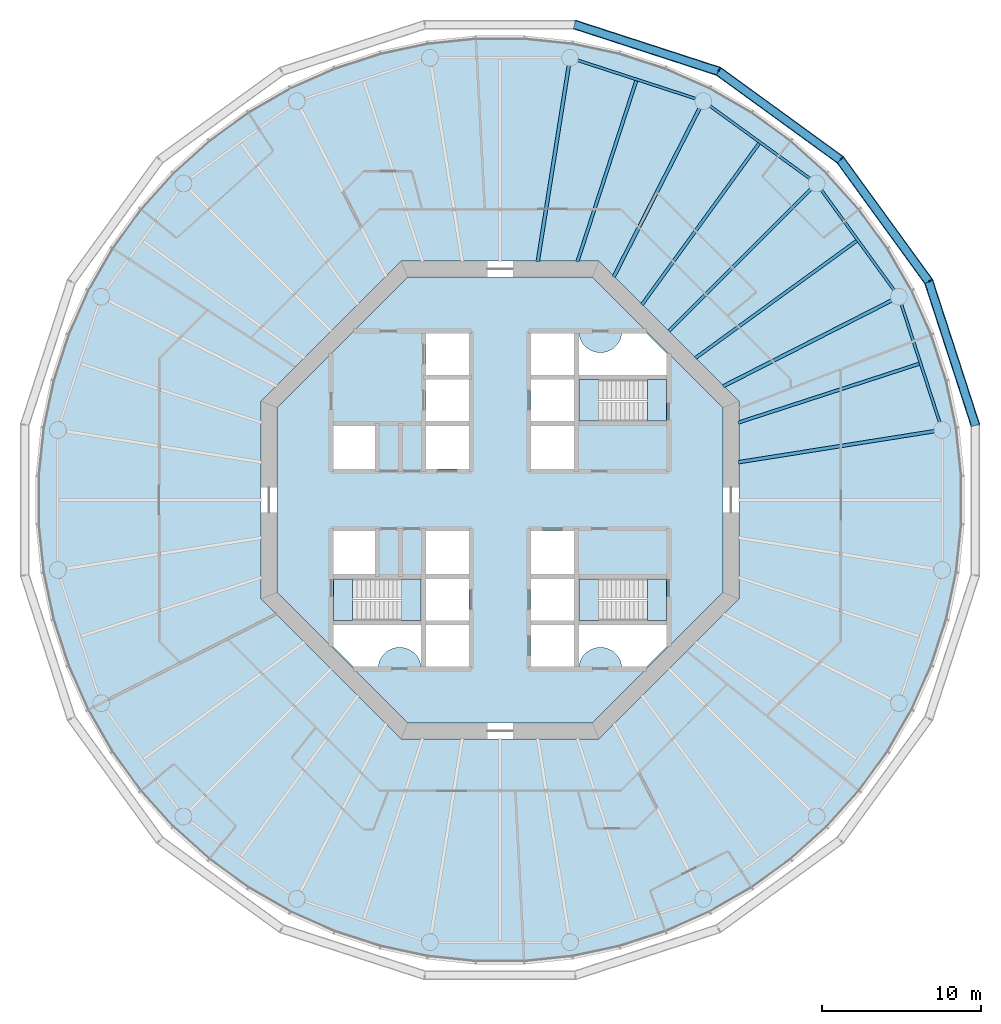
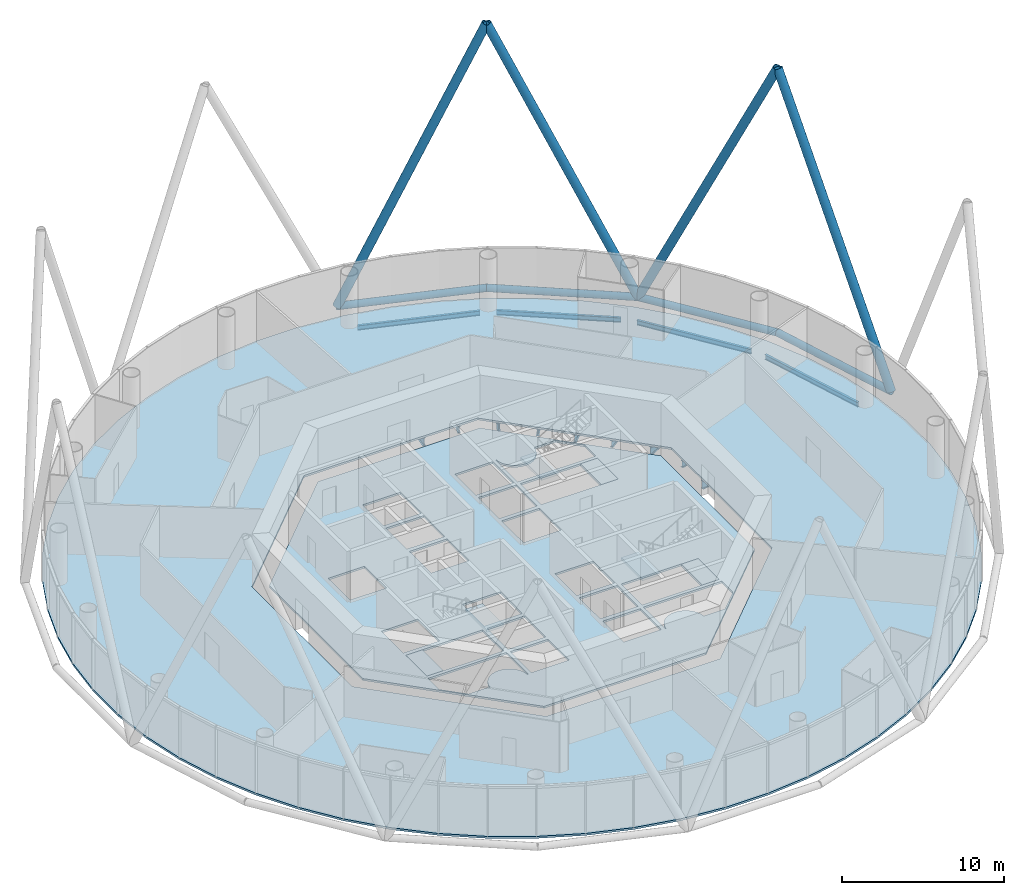
# One storey, part 2 of 13: 13 beams, 8 members, 8 slabs, 3 elements without a shape of their own.
"""IFC4 building model written with IfcOpenShell, lengths in metres."""

from ifc_helpers import new_model, si_unit, direction, frame, origin, origin_2d, place, context, subcontext, project, spatial, polyline, circle, hollow_circle, i_section, outline, extrude, material, layer, layer_set, material_profile, profile_set, type_object, element, aggregate, save


model = new_model("IFC4")

# Units and contexts
model_context = context("Model", 3, precision=1e-05, world=origin(), true_north=direction((0.0, 1.0)))
body_context = subcontext(model_context, "Body", "Model", "MODEL_VIEW")
ifc_project = project(units=[si_unit("LENGTHUNIT", "METRE"), si_unit("AREAUNIT", "SQUARE_METRE"), si_unit("VOLUMEUNIT", "CUBIC_METRE"), si_unit("PLANEANGLEUNIT", "RADIAN"), si_unit("MASSUNIT", "GRAM", prefix="KILO")], contexts=[model_context])

# Site, building, storey
site_placement = place(None, origin())
site = spatial("IfcSite", under=ifc_project, at=site_placement, CompositionType="ELEMENT")
building_placement = place(site_placement, origin())
building = spatial("IfcBuilding", under=site, at=building_placement, Name="Entoto Ring Tower", CompositionType="ELEMENT")
storey_placement = place(building_placement, frame((0.0, 0.0, 180.0)))
storey = spatial("IfcBuildingStorey", under=building, at=storey_placement, Name="L41", CompositionType="ELEMENT", Elevation=180.0)

# Members
ifc_material_1 = material(Name="Steel S355", Category="steel")
ifc_material_profile_1 = material_profile(ifc_material_1, hollow_circle(Radius=0.300048828125, WallThickness=0.030029296875, at=origin_2d()), Name="CHS 600 x 30")
ifc_material_2 = material(Name="Concrete C60/75", Category="concrete")
ifc_material_profile_2 = material_profile(ifc_material_2, circle(Radius=0.27001953125, at=origin_2d()), Name="Concrete C60/75 infill")
ifc_profile_set_1 = profile_set([ifc_material_profile_1, ifc_material_profile_2], Name="Steel S355")
member_type_1 = type_object("IfcMemberType", Name="Diagrid diagonal 600 x 30 concrete-filled tube", PredefinedType="BRACE", material=ifc_profile_set_1)
for number, where, z_axis, x_axis, name in (
    (1, (119.828125, 84.724365234375, 0.0), (-0.131995385813, 0.406250870943, 0.904177774545), (-0.951058940693, -0.309009532745, 0.0), "DG4 module 13 02"),
    (2, (111.354736328125, 101.354736328125, 0.0), (0.2510759177, -0.345588098254, 0.904173517582), (0.809026493198, 0.587772178061, 0.0), "DG4 module 13 03"),
    (3, (111.354736328125, 101.354736328125, 0.0), (-0.345588098254, 0.2510759177, 0.904173517582), (-0.587772178061, -0.809026493198, 0.0), "DG4 module 13 04"),
    (4, (94.724365234375, 109.828125, 0.0), (0.406250870943, -0.131995385813, 0.904177774545), (0.309009532745, 0.951058940693, 0.0), "DG4 module 13 05"),
):
    element("IfcMember", number, at=place(storey_placement, frame(where, z_axis=z_axis, x_axis=x_axis)), inside=storey, type_object=member_type_1, Name=name, PredefinedType="BRACE", context=body_context, shape_type="SweptSolid", body=[
        extrude(hollow_circle(Radius=0.300048828125, WallThickness=0.030029296875, at=origin_2d()), origin(), (0.0, 0.0, 1.0), 22.11962890625),
    ])
ifc_material_3 = material(Name="Steel S355", Category="steel")
ifc_material_profile_3 = material_profile(ifc_material_3, hollow_circle(Radius=0.25390625, WallThickness=0.030029296875, at=origin_2d()), Name="CHS 508 x 30")
ifc_material_4 = material(Name="Concrete C60/75", Category="concrete")
ifc_material_profile_4 = material_profile(ifc_material_4, circle(Radius=0.22412109375, at=origin_2d()), Name="Concrete C60/75 infill")
ifc_profile_set_2 = profile_set([ifc_material_profile_3, ifc_material_profile_4], Name="Steel S355")
member_type_2 = type_object("IfcMemberType", Name="Diagrid ring beam 508 x 30", PredefinedType="CHORD", material=ifc_profile_set_2)
for number, where, z_axis, x_axis, name in (
    (5, (119.8466796875, 84.6669921875, 0.0), (-0.308993189852, 0.951064250524, 0.0), (-0.951064250524, -0.308993189852, 0.0), "DR2 ring 12 01"),
    (6, (116.94384765625, 93.661865234375, 0.0), (-0.587786303985, 0.809016230274, 0.0), (-0.809016230274, -0.587786303985, 0.0), "DR2 ring 12 02"),
    (7, (111.4033203125, 101.3193359375, 0.0), (-0.809016230274, 0.587786303985, 0.0), (-0.587786303985, -0.809016230274, 0.0), "DR2 ring 12 03"),
    (8, (103.767822265625, 106.889892578125, 0.0), (-0.951064250524, 0.308993189852, 0.0), (-0.308993189852, -0.951064250524, 0.0), "DR2 ring 12 04"),
):
    element("IfcMember", number, at=place(storey_placement, frame(where, z_axis=z_axis, x_axis=x_axis)), inside=storey, type_object=member_type_2, Name=name, PredefinedType="CHORD", context=body_context, shape_type="SweptSolid", body=[
        extrude(hollow_circle(Radius=0.25390625, WallThickness=0.030029296875, at=origin_2d()), origin(), (0.0, 0.0, 1.0), 9.569091796875),
    ])

# Beams
ifc_material_5 = material(Name="Steel S355", Category="steel")
ifc_material_profile_5 = material_profile(ifc_material_5, i_section(OverallWidth=0.169921875, OverallDepth=0.360107421875, WebThickness=0.008056640625, FlangeThickness=0.0126953125, FilletRadius=0.01806640625, at=origin_2d()), Name="IPE 360")
ifc_profile_set_3 = profile_set([ifc_material_profile_5], Name="Steel S355")
beam_type_1 = type_object("IfcBeamType", Name="Edge beam IPE 360", PredefinedType="SPANDREL", material=ifc_profile_set_3)
for number, where, z_axis, x_axis, name in (
    (9, (117.59228515625, 84.8935546875, -0.330078125), (-0.309012656105, 0.951057925874, 0.0), (-0.951057925874, -0.309012656105, 0.0), "Edge beam L41 01"),
    (10, (114.729736328125, 93.180419921875, -0.330078125), (-0.587791153253, 0.809012707043, 0.0), (-0.809012707043, -0.587791153253, 0.0), "Edge beam L41 02"),
    (11, (109.4462890625, 100.17724609375, -0.330078125), (-0.809012707043, 0.587791153253, 0.0), (-0.587791153253, -0.809012707043, 0.0), "Edge beam L41 03"),
    (12, (102.259521484375, 105.198974609375, -0.330078125), (-0.951057925874, 0.309012656105, 0.0), (-0.309012656105, -0.951057925874, 0.0), "Edge beam L41 04"),
):
    element("IfcBeam", number, at=place(storey_placement, frame(where, z_axis=z_axis, x_axis=x_axis)), inside=storey, type_object=beam_type_1, Name=name, PredefinedType="SPANDREL", context=body_context, shape_type="SweptSolid", body=[
        extrude(i_section(OverallWidth=0.169921875, OverallDepth=0.360107421875, WebThickness=0.008056640625, FlangeThickness=0.0126953125, FilletRadius=0.01806640625, at=origin_2d()), origin(), (0.0, 0.0, 1.0), 7.7451171875),
    ])
ifc_material_6 = material(Name="Steel S355", Category="steel")
ifc_material_profile_6 = material_profile(ifc_material_6, i_section(OverallWidth=0.219970703125, OverallDepth=0.60009765625, WebThickness=0.011962890625, FlangeThickness=0.01904296875, FilletRadius=0.02392578125, at=origin_2d()), Name="IPE 600")
ifc_profile_set_4 = profile_set([ifc_material_profile_6], Name="Steel S355")
beam_type_2 = type_object("IfcBeamType", Name="Primary floor beam IPE 600", PredefinedType="BEAM", material=ifc_profile_set_4)
beam_1_placement = place(storey_placement, frame((104.963134765625, 82.369873046875, -0.449951171875), z_axis=(0.987687213789, 0.156441579247, 0.0), x_axis=(-0.156441579247, 0.987687213789, 0.0)))
element("IfcBeam", 13, at=beam_1_placement, inside=storey, type_object=beam_type_2, Name="Primary L41 R01", PredefinedType="BEAM", context=body_context, shape_type="SweptSolid", body=[
    extrude(i_section(OverallWidth=0.219970703125, OverallDepth=0.60009765625, WebThickness=0.011962890625, FlangeThickness=0.01904296875, FilletRadius=0.02392578125, at=origin_2d()), origin(), (0.0, 0.0, 1.0), 12.431640625),
])
beam_2_placement = place(storey_placement, frame((104.003173828125, 87.135009765625, -0.449951171875), z_axis=(0.891010444609, 0.453982805399, 0.0), x_axis=(-0.453982805399, 0.891010444609, 0.0)))
element("IfcBeam", 14, at=beam_2_placement, inside=storey, type_object=beam_type_2, Name="Primary L41 R02", PredefinedType="BEAM", context=body_context, shape_type="SweptSolid", body=[
    extrude(i_section(OverallWidth=0.219970703125, OverallDepth=0.60009765625, WebThickness=0.011962890625, FlangeThickness=0.01904296875, FilletRadius=0.02392578125, at=origin_2d()), origin(), (0.0, 0.0, 1.0), 11.864990234375),
])
beam_3_placement = place(storey_placement, frame((100.592529296875, 90.592529296875, -0.449951171875), z_axis=(0.707106781187, 0.707106781187, 0.0), x_axis=(-0.707106781187, 0.707106781187, 0.0)))
element("IfcBeam", 15, at=beam_3_placement, inside=storey, type_object=beam_type_2, Name="Primary L41 R03", PredefinedType="BEAM", context=body_context, shape_type="SweptSolid", body=[
    extrude(i_section(OverallWidth=0.219970703125, OverallDepth=0.60009765625, WebThickness=0.011962890625, FlangeThickness=0.01904296875, FilletRadius=0.02392578125, at=origin_2d()), origin(), (0.0, 0.0, 1.0), 12.601318359375),
])
beam_4_placement = place(storey_placement, frame((97.135009765625, 94.003173828125, -0.449951171875), z_axis=(0.453982805399, 0.891010444609, 0.0), x_axis=(-0.891010444609, 0.453982805399, 0.0)))
element("IfcBeam", 16, at=beam_4_placement, inside=storey, type_object=beam_type_2, Name="Primary L41 R04", PredefinedType="BEAM", context=body_context, shape_type="SweptSolid", body=[
    extrude(i_section(OverallWidth=0.219970703125, OverallDepth=0.60009765625, WebThickness=0.011962890625, FlangeThickness=0.01904296875, FilletRadius=0.02392578125, at=origin_2d()), origin(), (0.0, 0.0, 1.0), 11.864990234375),
])
beam_5_placement = place(storey_placement, frame((92.369873046875, 94.963134765625, -0.449951171875), z_axis=(0.156441579247, 0.987687213789, 0.0), x_axis=(-0.987687213789, 0.156441579247, 0.0)))
element("IfcBeam", 17, at=beam_5_placement, inside=storey, type_object=beam_type_2, Name="Primary L41 R05", PredefinedType="BEAM", context=body_context, shape_type="SweptSolid", body=[
    extrude(i_section(OverallWidth=0.219970703125, OverallDepth=0.60009765625, WebThickness=0.011962890625, FlangeThickness=0.01904296875, FilletRadius=0.02392578125, at=origin_2d()), origin(), (0.0, 0.0, 1.0), 12.431640625),
])
ifc_material_7 = material(Name="Steel S355", Category="steel")
ifc_material_profile_7 = material_profile(ifc_material_7, i_section(OverallWidth=0.199951171875, OverallDepth=0.5, WebThickness=0.01025390625, FlangeThickness=0.01611328125, FilletRadius=0.02099609375, at=origin_2d()), Name="IPE 500")
ifc_profile_set_5 = profile_set([ifc_material_profile_7], Name="Steel S355")
beam_type_3 = type_object("IfcBeamType", Name="Secondary floor beam IPE 500", PredefinedType="JOIST", material=ifc_profile_set_5)
beam_6_placement = place(storey_placement, frame((104.9501953125, 84.857666015625, -0.39990234375), z_axis=(0.951056587506, 0.30901677521, 0.0), x_axis=(-0.30901677521, 0.951056587506, 0.0)))
element("IfcBeam", 18, at=beam_6_placement, inside=storey, type_object=beam_type_3, Name="Secondary beam L41 01", PredefinedType="JOIST", context=body_context, shape_type="SweptSolid", body=[
    extrude(i_section(OverallWidth=0.199951171875, OverallDepth=0.5, WebThickness=0.01025390625, FlangeThickness=0.01611328125, FilletRadius=0.02099609375, at=origin_2d()), origin(), (0.0, 0.0, 1.0), 11.94970703125),
])
for number, where, z_axis, x_axis, name in (
    (19, (102.257568359375, 88.905517578125, -0.39990234375), (0.80901431041, 0.587788946436, 0.0), (-0.587788946436, 0.80901431041, 0.0), "Secondary beam L41 02"),
    (20, (98.905517578125, 92.257568359375, -0.39990234375), (0.587788946436, 0.80901431041, 0.0), (-0.80901431041, 0.587788946436, 0.0), "Secondary beam L41 03"),
):
    element("IfcBeam", number, at=place(storey_placement, frame(where, z_axis=z_axis, x_axis=x_axis)), inside=storey, type_object=beam_type_3, Name=name, PredefinedType="JOIST", context=body_context, shape_type="SweptSolid", body=[
        extrude(i_section(OverallWidth=0.199951171875, OverallDepth=0.5, WebThickness=0.01025390625, FlangeThickness=0.01611328125, FilletRadius=0.02099609375, at=origin_2d()), origin(), (0.0, 0.0, 1.0), 12.51806640625),
    ])
beam_7_placement = place(storey_placement, frame((94.857666015625, 94.9501953125, -0.39990234375), z_axis=(0.30901677521, 0.951056587506, 0.0), x_axis=(-0.951056587506, 0.30901677521, 0.0)))
element("IfcBeam", 21, at=beam_7_placement, inside=storey, type_object=beam_type_3, Name="Secondary beam L41 04", PredefinedType="JOIST", context=body_context, shape_type="SweptSolid", body=[
    extrude(i_section(OverallWidth=0.199951171875, OverallDepth=0.5, WebThickness=0.01025390625, FlangeThickness=0.01611328125, FilletRadius=0.02099609375, at=origin_2d()), origin(), (0.0, 0.0, 1.0), 11.94970703125),
])

# Slabs
ifc_material_8 = material(Name="Concrete C30/37", Category="concrete")
ifc_layer_1 = layer(ifc_material_8, 0.14990234375)
ifc_layer_set_1 = layer_set([ifc_layer_1], Name="Concrete C30/37")
slab_type_1 = type_object("IfcSlabType", Name="Composite floor slab 150 mm", PredefinedType="FLOOR", material=ifc_layer_set_1)
slab_1_placement = place(storey_placement, frame((0.0, 0.0, -0.14990234375)))
element("IfcSlab", 22, at=slab_1_placement, inside=storey, type_object=slab_type_1, Name="Floor slab L41", PredefinedType="FLOOR", context=body_context, shape_type="SweptSolid", body=[
    extrude(outline(polyline([(118.74169921875, 84.55224609375), (118.1083984375, 87.53173828125), (117.167236328125, 90.428466796875), (115.92822265625, 93.211181640625), (114.4052734375, 95.848876953125), (112.614990234375, 98.313232421875), (110.576904296875, 100.576904296875), (108.313232421875, 102.614990234375), (105.848876953125, 104.4052734375), (103.211181640625, 105.92822265625), (100.428466796875, 107.167236328125), (97.53173828125, 108.1083984375), (94.55224609375, 108.74169921875), (91.52294921875, 109.06005859375), (88.47705078125, 109.06005859375), (85.44775390625, 108.74169921875), (82.46826171875, 108.1083984375), (79.571533203125, 107.167236328125), (76.788818359375, 105.92822265625), (74.151123046875, 104.4052734375), (71.686767578125, 102.614990234375), (69.423095703125, 100.576904296875), (67.385009765625, 98.313232421875), (65.5947265625, 95.848876953125), (64.07177734375, 93.211181640625), (62.832763671875, 90.428466796875), (61.8916015625, 87.53173828125), (61.25830078125, 84.55224609375), (60.93994140625, 81.52294921875), (60.93994140625, 78.47705078125), (61.25830078125, 75.44775390625), (61.8916015625, 72.46826171875), (62.832763671875, 69.571533203125), (64.07177734375, 66.788818359375), (65.5947265625, 64.151123046875), (67.385009765625, 61.686767578125), (69.423095703125, 59.423095703125), (71.686767578125, 57.385009765625), (74.151123046875, 55.5947265625), (76.788818359375, 54.07177734375), (79.571533203125, 52.832763671875), (82.46826171875, 51.8916015625), (85.44775390625, 51.25830078125), (88.47705078125, 50.93994140625), (91.52294921875, 50.93994140625), (94.55224609375, 51.25830078125), (97.53173828125, 51.8916015625), (100.428466796875, 52.832763671875), (103.211181640625, 54.07177734375), (105.848876953125, 55.5947265625), (108.313232421875, 57.385009765625), (110.576904296875, 59.423095703125), (112.614990234375, 61.686767578125), (114.4052734375, 64.151123046875), (115.92822265625, 66.788818359375), (117.167236328125, 69.571533203125), (118.1083984375, 72.46826171875), (118.74169921875, 75.44775390625), (119.06005859375, 78.47705078125), (119.06005859375, 81.52294921875), (118.74169921875, 84.55224609375)]), holes=[polyline([(105.0, 73.786865234375), (105.0, 86.213134765625), (96.213134765625, 95.0), (83.786865234375, 95.0), (75.0, 86.213134765625), (75.0, 73.786865234375), (83.786865234375, 65.0), (96.213134765625, 65.0), (105.0, 73.786865234375)])]), origin(), (0.0, 0.0, 1.0), 0.14990234375),
])
ifc_material_9 = material(Name="Concrete C40/50", Category="concrete")
ifc_layer_2 = layer(ifc_material_9, 0.14990234375)
ifc_layer_set_2 = layer_set([ifc_layer_2], Name="Concrete C40/50")
slab_type_2 = type_object("IfcSlabType", Name="Core floor slab 150 mm reinforced concrete C40/50", PredefinedType="FLOOR", material=ifc_layer_set_2)
slab_2_placement = place(storey_placement, frame((0.0, 0.0, -0.14990234375)))
element("IfcSlab", 23, at=slab_2_placement, inside=storey, type_object=slab_type_2, Name="Core floor L41", PredefinedType="FLOOR", context=body_context, shape_type="SweptSolid", body=[
    extrude(outline(polyline([(104.0, 74.200927734375), (104.0, 85.799072265625), (95.799072265625, 94.0), (84.200927734375, 94.0), (76.0, 85.799072265625), (76.0, 74.200927734375), (84.200927734375, 66.0), (95.799072265625, 66.0), (104.0, 74.200927734375)]), holes=[polyline([(100.449951171875, 84.949951171875), (100.449951171875, 87.550048828125), (94.949951171875, 87.550048828125), (94.949951171875, 84.949951171875), (100.449951171875, 84.949951171875)]), polyline([(85.050048828125, 72.449951171875), (85.050048828125, 75.050048828125), (79.550048828125, 75.050048828125), (79.550048828125, 72.449951171875), (85.050048828125, 72.449951171875)]), polyline([(100.449951171875, 72.449951171875), (100.449951171875, 75.050048828125), (94.949951171875, 75.050048828125), (94.949951171875, 72.449951171875), (100.449951171875, 72.449951171875)]), polyline([(91.949951171875, 84.949951171875), (94.64990234375, 84.949951171875), (94.64990234375, 87.550048828125), (91.949951171875, 87.550048828125), (91.949951171875, 84.949951171875)]), polyline([(91.949951171875, 72.449951171875), (94.64990234375, 72.449951171875), (94.64990234375, 75.050048828125), (91.949951171875, 75.050048828125), (91.949951171875, 72.449951171875)]), polyline([(91.949951171875, 69.550048828125), (94.64990234375, 69.550048828125), (94.64990234375, 72.14990234375), (91.949951171875, 72.14990234375), (91.949951171875, 69.550048828125)]), polyline([(85.35009765625, 72.449951171875), (88.050048828125, 72.449951171875), (88.050048828125, 75.050048828125), (85.35009765625, 75.050048828125), (85.35009765625, 72.449951171875)]), polyline([(85.35009765625, 81.949951171875), (88.050048828125, 81.949951171875), (88.050048828125, 84.64990234375), (85.35009765625, 84.64990234375), (85.35009765625, 81.949951171875)]), polyline([(91.949951171875, 75.35009765625), (94.64990234375, 75.35009765625), (94.64990234375, 78.050048828125), (91.949951171875, 78.050048828125), (91.949951171875, 75.35009765625)]), polyline([(79.550048828125, 81.949951171875), (82.14990234375, 81.949951171875), (82.14990234375, 84.64990234375), (79.550048828125, 84.64990234375), (79.550048828125, 81.949951171875)]), polyline([(79.550048828125, 75.35009765625), (82.14990234375, 75.35009765625), (82.14990234375, 78.050048828125), (79.550048828125, 78.050048828125), (79.550048828125, 75.35009765625)]), polyline([(91.949951171875, 87.85009765625), (94.64990234375, 87.85009765625), (94.64990234375, 90.449951171875), (91.949951171875, 90.449951171875), (91.949951171875, 87.85009765625)]), polyline([(85.35009765625, 69.550048828125), (88.050048828125, 69.550048828125), (88.050048828125, 72.14990234375), (85.35009765625, 72.14990234375), (85.35009765625, 69.550048828125)]), polyline([(91.949951171875, 81.949951171875), (94.64990234375, 81.949951171875), (94.64990234375, 84.64990234375), (91.949951171875, 84.64990234375), (91.949951171875, 81.949951171875)]), polyline([(85.35009765625, 75.35009765625), (88.050048828125, 75.35009765625), (88.050048828125, 78.050048828125), (85.35009765625, 78.050048828125), (85.35009765625, 75.35009765625)]), polyline([(85.35009765625, 84.949951171875), (88.050048828125, 84.949951171875), (88.050048828125, 87.550048828125), (85.35009765625, 87.550048828125), (85.35009765625, 84.949951171875)]), polyline([(85.35009765625, 87.85009765625), (88.050048828125, 87.85009765625), (88.050048828125, 90.449951171875), (85.35009765625, 90.449951171875), (85.35009765625, 87.85009765625)]), polyline([(94.89990234375, 90.5), (94.89990234375, 87.800048828125), (100.5, 87.800048828125), (100.5, 89.15771484375), (99.15771484375, 90.5), (97.64501953125, 90.5), (97.6435546875, 90.4677734375), (97.6240234375, 90.336669921875), (97.591796875, 90.2080078125), (97.547119140625, 90.08349609375), (97.490478515625, 89.963623046875), (97.422607421875, 89.85009765625), (97.343505859375, 89.74365234375), (97.254638671875, 89.6455078125), (97.156494140625, 89.556396484375), (97.050048828125, 89.4775390625), (96.936279296875, 89.409423828125), (96.816650390625, 89.352783203125), (96.69189453125, 89.30810546875), (96.5634765625, 89.27587890625), (96.432373046875, 89.256591796875), (96.300048828125, 89.25), (96.167724609375, 89.256591796875), (96.03662109375, 89.27587890625), (95.908203125, 89.30810546875), (95.783447265625, 89.352783203125), (95.66357421875, 89.409423828125), (95.550048828125, 89.4775390625), (95.443603515625, 89.556396484375), (95.345458984375, 89.6455078125), (95.25634765625, 89.74365234375), (95.177490234375, 89.85009765625), (95.109375, 89.963623046875), (95.052734375, 90.08349609375), (95.008056640625, 90.2080078125), (94.975830078125, 90.336669921875), (94.95654296875, 90.4677734375), (94.954833984375, 90.5), (94.89990234375, 90.5)]), polyline([(79.5, 70.84228515625), (80.84228515625, 69.5), (82.35498046875, 69.5), (82.3564453125, 69.5322265625), (82.3759765625, 69.663330078125), (82.408203125, 69.7919921875), (82.452880859375, 69.91650390625), (82.509521484375, 70.036376953125), (82.577392578125, 70.14990234375), (82.656494140625, 70.25634765625), (82.745361328125, 70.3544921875), (82.843505859375, 70.443603515625), (82.949951171875, 70.5224609375), (83.063720703125, 70.590576171875), (83.183349609375, 70.647216796875), (83.30810546875, 70.69189453125), (83.4365234375, 70.72412109375), (83.567626953125, 70.743408203125), (83.699951171875, 70.75), (83.832275390625, 70.743408203125), (83.96337890625, 70.72412109375), (84.091796875, 70.69189453125), (84.216552734375, 70.647216796875), (84.33642578125, 70.590576171875), (84.449951171875, 70.5224609375), (84.556396484375, 70.443603515625), (84.654541015625, 70.3544921875), (84.74365234375, 70.25634765625), (84.822509765625, 70.14990234375), (84.890625, 70.036376953125), (84.947265625, 69.91650390625), (84.991943359375, 69.7919921875), (85.024169921875, 69.663330078125), (85.04345703125, 69.5322265625), (85.045166015625, 69.5), (85.10009765625, 69.5), (85.10009765625, 72.199951171875), (79.5, 72.199951171875), (79.5, 70.84228515625)]), polyline([(97.64501953125, 69.5), (99.15771484375, 69.5), (100.5, 70.84228515625), (100.5, 72.199951171875), (94.89990234375, 72.199951171875), (94.89990234375, 69.5), (94.954833984375, 69.5), (94.95654296875, 69.5322265625), (94.975830078125, 69.663330078125), (95.008056640625, 69.7919921875), (95.052734375, 69.91650390625), (95.109375, 70.036376953125), (95.177490234375, 70.14990234375), (95.25634765625, 70.25634765625), (95.345458984375, 70.3544921875), (95.443603515625, 70.443603515625), (95.550048828125, 70.5224609375), (95.66357421875, 70.590576171875), (95.783447265625, 70.647216796875), (95.908203125, 70.69189453125), (96.03662109375, 70.72412109375), (96.167724609375, 70.743408203125), (96.300048828125, 70.75), (96.432373046875, 70.743408203125), (96.5634765625, 70.72412109375), (96.69189453125, 70.69189453125), (96.816650390625, 70.647216796875), (96.936279296875, 70.590576171875), (97.050048828125, 70.5224609375), (97.156494140625, 70.443603515625), (97.254638671875, 70.3544921875), (97.343505859375, 70.25634765625), (97.422607421875, 70.14990234375), (97.490478515625, 70.036376953125), (97.547119140625, 69.91650390625), (97.591796875, 69.7919921875), (97.6240234375, 69.663330078125), (97.6435546875, 69.5322265625), (97.64501953125, 69.5)])]), origin(), (0.0, 0.0, 1.0), 0.14990234375),
])

# Stair, slabs
ifc_material_10 = material(Name="Concrete C40/50", Category="concrete")
stair_type = type_object("IfcStairType", Name="Exit stair 1200 mm dog-leg reinforced concrete", PredefinedType="HALF_TURN_STAIR", material=ifc_material_10)
stair_1_placement = place(storey_placement, origin())
stair_1 = element("IfcStair", 24, at=stair_1_placement, inside=storey, type_object=stair_type, Name="Exit stair 1", PredefinedType="HALF_TURN_STAIR")
ifc_material_11 = material(Name="Concrete C40/50", Category="concrete")
ifc_layer_3 = layer(ifc_material_11, 0.199951171875)
ifc_layer_set_3 = layer_set([ifc_layer_3], Name="Concrete C40/50")
slab_type_3 = type_object("IfcSlabType", Name="Stair landing 200 mm reinforced concrete", PredefinedType="LANDING", material=ifc_layer_set_3)
slab_3_placement = place(storey_placement, frame((0.0, 0.0, -0.199951171875)))
slab_3 = element("IfcSlab", 25, at=slab_3_placement, type_object=slab_type_3, Name="ST1 landing 1", PredefinedType="LANDING", context=body_context, shape_type="SweptSolid", body=[
    extrude(outline(polyline([(100.449951171875, 84.949951171875), (100.449951171875, 87.550048828125), (99.25, 87.550048828125), (99.25, 84.949951171875), (100.449951171875, 84.949951171875)])), origin(), (0.0, 0.0, 1.0), 0.199951171875),
])
slab_4_placement = place(storey_placement, frame((0.0, 0.0, 1.800048828125)))
slab_4 = element("IfcSlab", 26, at=slab_4_placement, type_object=slab_type_3, Name="ST1 landing 2", PredefinedType="LANDING", context=body_context, shape_type="SweptSolid", body=[
    extrude(outline(polyline([(94.949951171875, 84.949951171875), (96.169921875, 84.949951171875), (96.169921875, 87.550048828125), (94.949951171875, 87.550048828125), (94.949951171875, 84.949951171875)])), origin(), (0.0, 0.0, 1.0), 0.199951171875),
])
aggregate(stair_1, [slab_3, slab_4])

stair_2_placement = place(storey_placement, origin())
stair_2 = element("IfcStair", 27, at=stair_2_placement, inside=storey, type_object=stair_type, Name="Exit stair 2", PredefinedType="HALF_TURN_STAIR")
slab_5_placement = place(storey_placement, frame((0.0, 0.0, -0.199951171875)))
slab_5 = element("IfcSlab", 28, at=slab_5_placement, type_object=slab_type_3, Name="ST2 landing 1", PredefinedType="LANDING", context=body_context, shape_type="SweptSolid", body=[
    extrude(outline(polyline([(80.75, 72.449951171875), (80.75, 75.050048828125), (79.550048828125, 75.050048828125), (79.550048828125, 72.449951171875), (80.75, 72.449951171875)])), origin(), (0.0, 0.0, 1.0), 0.199951171875),
])
slab_6_placement = place(storey_placement, frame((0.0, 0.0, 1.800048828125)))
slab_6 = element("IfcSlab", 29, at=slab_6_placement, type_object=slab_type_3, Name="ST2 landing 2", PredefinedType="LANDING", context=body_context, shape_type="SweptSolid", body=[
    extrude(outline(polyline([(83.830078125, 72.449951171875), (85.050048828125, 72.449951171875), (85.050048828125, 75.050048828125), (83.830078125, 75.050048828125), (83.830078125, 72.449951171875)])), origin(), (0.0, 0.0, 1.0), 0.199951171875),
])
aggregate(stair_2, [slab_5, slab_6])

stair_3_placement = place(storey_placement, origin())
stair_3 = element("IfcStair", 30, at=stair_3_placement, inside=storey, type_object=stair_type, Name="Exit stair 3", PredefinedType="HALF_TURN_STAIR")
slab_7_placement = place(storey_placement, frame((0.0, 0.0, -0.199951171875)))
slab_7 = element("IfcSlab", 31, at=slab_7_placement, type_object=slab_type_3, Name="ST3 landing 1", PredefinedType="LANDING", context=body_context, shape_type="SweptSolid", body=[
    extrude(outline(polyline([(100.449951171875, 72.449951171875), (100.449951171875, 75.050048828125), (99.25, 75.050048828125), (99.25, 72.449951171875), (100.449951171875, 72.449951171875)])), origin(), (0.0, 0.0, 1.0), 0.199951171875),
])
slab_8_placement = place(storey_placement, frame((0.0, 0.0, 1.800048828125)))
slab_8 = element("IfcSlab", 32, at=slab_8_placement, type_object=slab_type_3, Name="ST3 landing 2", PredefinedType="LANDING", context=body_context, shape_type="SweptSolid", body=[
    extrude(outline(polyline([(94.949951171875, 72.449951171875), (96.169921875, 72.449951171875), (96.169921875, 75.050048828125), (94.949951171875, 75.050048828125), (94.949951171875, 72.449951171875)])), origin(), (0.0, 0.0, 1.0), 0.199951171875),
])
aggregate(stair_3, [slab_7, slab_8])

save(model, "model.ifc")
